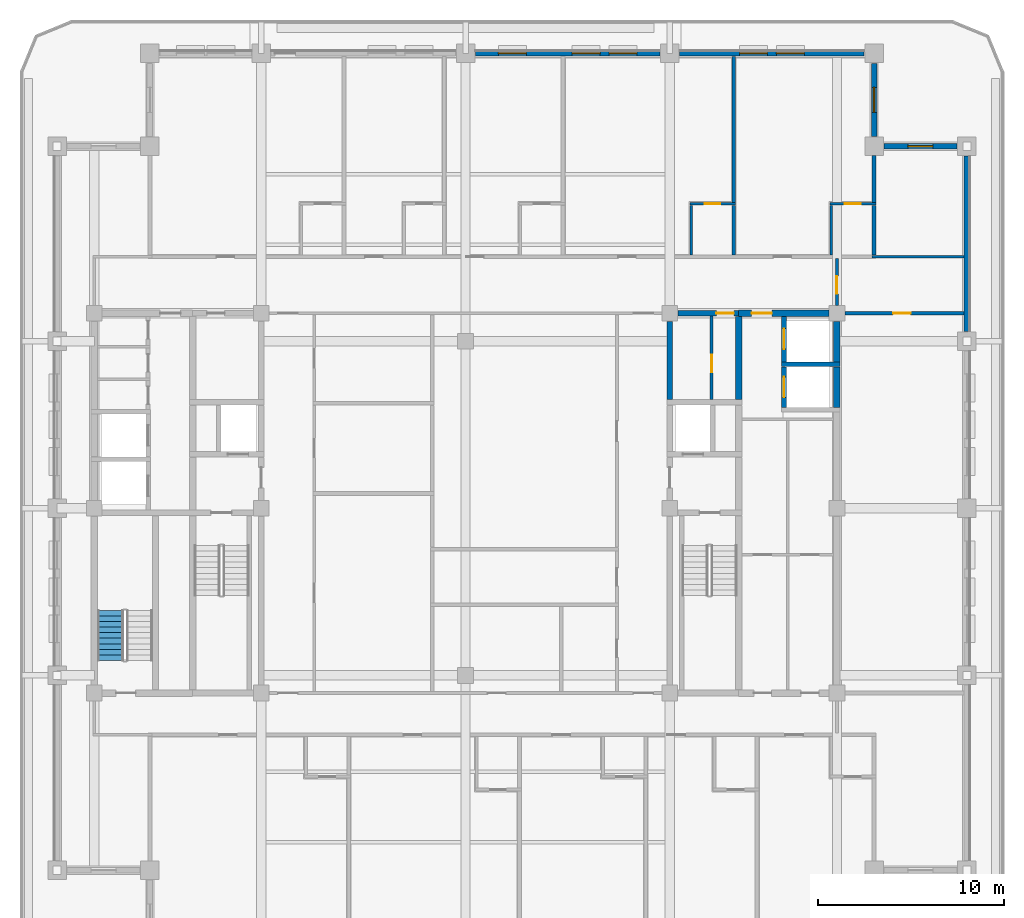
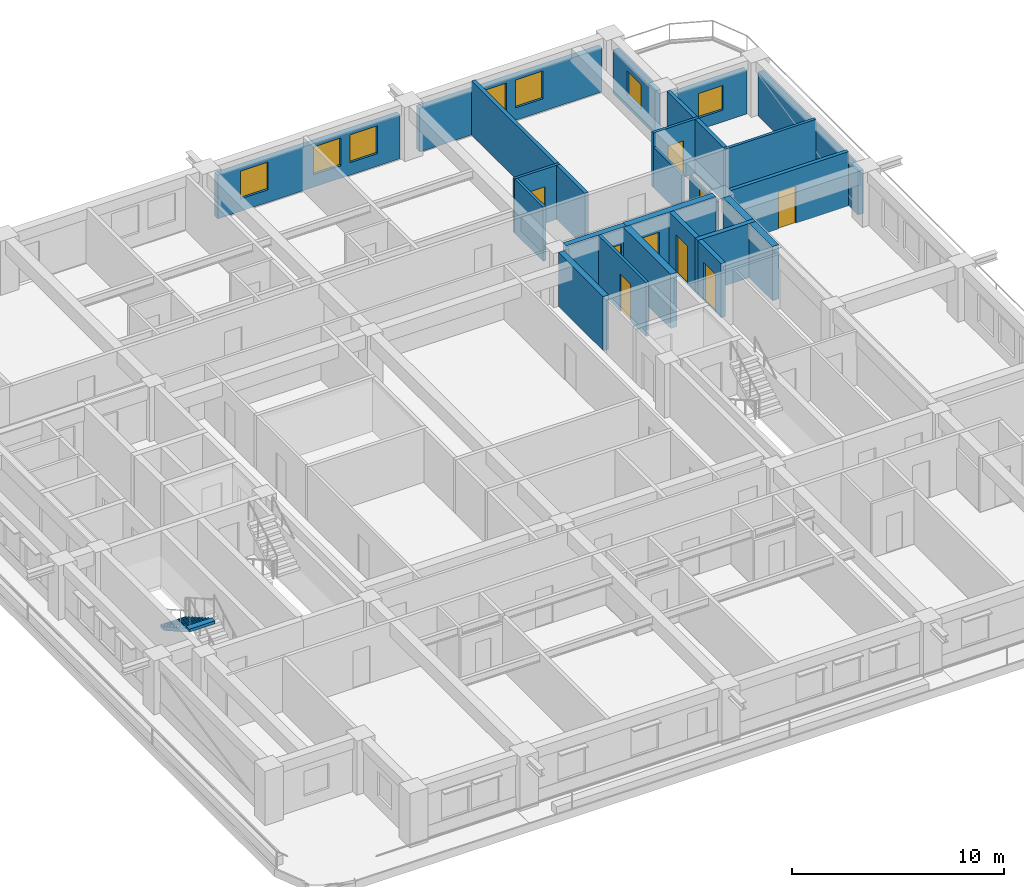
# One storey, part 7 of 15: 26 walls, 9 doors, 7 windows, 1 stair flight, 16 openings, 1 element without a shape of its own.
"""IFC4 building model written with IfcOpenShell, lengths in metres."""

import ifcopenshell
import ifcopenshell.guid

model = None  # the IFC model being written
_history = None  # IfcOwnerHistory: only IFC2X3 demands one
_inside = {}  # id of a spatial element -> (the spatial element, [elements in it])
_under = {}  # id of a project, library or spatial element -> (it, [spatial elements below it])
_declared = {}  # id of a project -> (the project, [libraries it declares])
_typed = {}  # id of a type object -> (the type object, [elements of that type])
_made_of = {}  # id of a material, layer set ... -> (it, [elements and type objects made of it])


def new_model(schema):
    """Start an empty IFC model of exactly this schema.

    Asked for "IFC4X3", IfcOpenShell would pick the latest addendum, in which some entities
    have other attributes; the version numbers below select the first issue.
    IFC2X3 requires an IfcOwnerHistory on every rooted entity: one is made here for all.
    """
    global model, _history
    if schema == "IFC4X3":
        model = ifcopenshell.file(schema_version=(4, 3, 0, 0))
    else:
        model = ifcopenshell.file(schema=schema)
    _inside.clear()
    _under.clear()
    _declared.clear()
    _typed.clear()
    _made_of.clear()
    _history = None
    if model.schema == "IFC2X3":
        org = make("IfcOrganization", Name="unknown")
        user = make(
            "IfcPersonAndOrganization",
            ThePerson=make("IfcPerson", FamilyName="unknown"),
            TheOrganization=org,
        )
        app = make(
            "IfcApplication",
            ApplicationDeveloper=org,
            Version="unknown",
            ApplicationFullName="unknown",
            ApplicationIdentifier="unknown",
        )
        _history = make(
            "IfcOwnerHistory",
            OwningUser=user,
            OwningApplication=app,
            ChangeAction="ADDED",
            CreationDate=0,
        )
    return model


def make(cls, **values):
    """One entity of the class cls with the attributes given. An attribute that is None is left unset."""
    return model.create_entity(
        cls, **{name: value for name, value in values.items() if value is not None}
    )


def rooted(cls, **values):
    """An entity with a GlobalId (a new one), such as an element, a storey or a relation."""
    return make(cls, GlobalId=ifcopenshell.guid.new(), OwnerHistory=_history, **values)


def si_unit(unit_type, name, prefix=None):
    """IfcSIUnit, for example si_unit("LENGTHUNIT", "METRE", prefix="MILLI")."""
    return make("IfcSIUnit", UnitType=unit_type, Prefix=prefix, Name=name)


def assignment(units):
    """IfcUnitAssignment: the units of a project."""
    return None if units is None else make("IfcUnitAssignment", Units=units)


def point(xyz):
    """IfcCartesianPoint."""
    return None if xyz is None else make("IfcCartesianPoint", Coordinates=xyz)


def direction(xyz):
    """IfcDirection."""
    return None if xyz is None else make("IfcDirection", DirectionRatios=xyz)


def frame(location, z_axis=None, x_axis=None):
    """IfcAxis2Placement3D, a coordinate frame: its origin and axes. An axis left out is left unset."""
    return make(
        "IfcAxis2Placement3D",
        Location=point(location),
        Axis=direction(z_axis),
        RefDirection=direction(x_axis),
    )


def frame_2d(location, x_axis=None):
    """IfcAxis2Placement2D, a coordinate frame in the plane: its origin and x axis."""
    return make(
        "IfcAxis2Placement2D", Location=point(location), RefDirection=direction(x_axis)
    )


def origin():
    """The frame at (0, 0, 0) with its axes left unset."""
    return frame((0.0, 0.0, 0.0))


def place(relative_to, where):
    """IfcLocalPlacement: puts the frame where relative to a parent placement (None: the world)."""
    return make(
        "IfcLocalPlacement", PlacementRelTo=relative_to, RelativePlacement=where
    )


def context(
    kind, dimensions, precision=None, world=None, true_north=None, identifier=None
):
    """IfcGeometricRepresentationContext, for example the 3D "Model" context."""
    return make(
        "IfcGeometricRepresentationContext",
        ContextIdentifier=identifier,
        ContextType=kind,
        CoordinateSpaceDimension=dimensions,
        Precision=precision,
        WorldCoordinateSystem=world,
        TrueNorth=true_north,
    )


def subcontext(parent, identifier, kind, view, scale=None):
    """IfcGeometricRepresentationSubContext, for example "Body" below "Model"."""
    return make(
        "IfcGeometricRepresentationSubContext",
        ContextIdentifier=identifier,
        ContextType=kind,
        ParentContext=parent,
        TargetScale=scale,
        TargetView=view,
    )


def project(units=None, contexts=None):
    """IfcProject with its units and contexts."""
    return rooted(
        "IfcProject",
        Name="project",
        RepresentationContexts=contexts,
        UnitsInContext=assignment(units),
    )


def spatial(cls, under=None, at=None, **own):
    """A site, building, storey or space (cls), placed at a placement, below another one or the project."""
    s = rooted(cls, ObjectPlacement=at, **own)
    if under is not None:
        _under.setdefault(under.id(), (under, []))[1].append(s)
    return s


def polyline(points):
    """IfcPolyline through the points."""
    return make("IfcPolyline", Points=[point(p) for p in points])


def profile(cls, at=None, kind="AREA", **sizes):
    """A parametric profile (cls). Its sizes go by their IFC names, for example OverallWidth=200.0."""
    return make(cls, ProfileType=kind, Position=at, **sizes)


def rectangle(**sizes):
    """IfcRectangleProfileDef."""
    return profile("IfcRectangleProfileDef", **sizes)


def outline(outer, holes=None, kind="AREA"):
    """IfcArbitraryClosedProfileDef: a profile drawn as a closed curve; with holes, ...WithVoids."""
    if holes is None:
        return make("IfcArbitraryClosedProfileDef", ProfileType=kind, OuterCurve=outer)
    return make(
        "IfcArbitraryProfileDefWithVoids",
        ProfileType=kind,
        OuterCurve=outer,
        InnerCurves=holes,
    )


def extrude(swept, where, along, depth):
    """IfcExtrudedAreaSolid: the profile swept, set in the frame where, extruded along a direction by depth."""
    return make(
        "IfcExtrudedAreaSolid",
        SweptArea=swept,
        Position=where,
        ExtrudedDirection=direction(along),
        Depth=depth,
    )


def shape(context_of_items, identifier, shape_type, items):
    """IfcShapeRepresentation: the items that make up one representation, for example the "Body"."""
    return make(
        "IfcShapeRepresentation",
        ContextOfItems=context_of_items,
        RepresentationIdentifier=identifier,
        RepresentationType=shape_type,
        Items=items,
    )


def material(Name=None, Category=None):
    """IfcMaterial."""
    return make("IfcMaterial", Name=Name, Category=Category)


def layer(
    of_material, thickness, ventilated=None, Name=None, Category=None, Priority=None
):
    """IfcMaterialLayer: one layer of a wall or slab, of a material (None: an air gap)."""
    return make(
        "IfcMaterialLayer",
        Material=of_material,
        LayerThickness=thickness,
        IsVentilated=ventilated,
        Name=Name,
        Category=Category,
        Priority=Priority,
    )


def layer_set(layers, Name=None):
    """IfcMaterialLayerSet."""
    return make("IfcMaterialLayerSet", MaterialLayers=layers, LayerSetName=Name)


def made_of(thing, what):
    """Note that an element or type object is made of a material, layer set ...; save() writes the relation."""
    if what is not None:
        _made_of.setdefault(what.id(), (what, []))[1].append(thing)
    return thing


def type_object(cls, material=None, **own):
    """A type object (cls), such as IfcWallType, which elements share."""
    return made_of(rooted(cls, **own), material)


def element(
    cls,
    number,
    at=None,
    inside=None,
    cuts=None,
    type_object=None,
    material=None,
    context=None,
    identifier="Body",
    shape_type=None,
    held_by="IfcProductDefinitionShape",
    body=None,
    shapes=None,
    **own,
):
    """One element of the class cls, such as IfcWall. Its Tag is "e" and its number.

    at: its placement. inside: the storey or other place that contains it. cuts: it is an
    opening in that element (IfcRelVoidsElement). A single representation is given by context,
    identifier, shape_type and body (its items); several are given by shapes. held_by: the class
    of the entity that holds the representations. save() writes the other relations.
    """
    e = rooted(cls, Tag="e%d" % number, ObjectPlacement=at, **own)
    if body is not None:
        shapes = [shape(context, identifier, shape_type, body)]
    if shapes is not None:
        e.Representation = make(held_by, Representations=shapes)
    if inside is not None:
        _inside.setdefault(inside.id(), (inside, []))[1].append(e)
    if cuts is not None:
        rooted(
            "IfcRelVoidsElement", RelatingBuildingElement=cuts, RelatedOpeningElement=e
        )
    if type_object is not None:
        _typed.setdefault(type_object.id(), (type_object, []))[1].append(e)
    return made_of(e, material)


def fill(opening, filler):
    """IfcRelFillsElement: the door or window that sits in an opening."""
    return rooted(
        "IfcRelFillsElement",
        RelatingOpeningElement=opening,
        RelatedBuildingElement=filler,
    )


def aggregate(whole, parts):
    """IfcRelAggregates: a whole, such as a stair, and the parts it consists of."""
    return rooted("IfcRelAggregates", RelatingObject=whole, RelatedObjects=parts)


def save(model, path):
    """Write the relations noted so far, then the file.

    IfcRelAggregates (storeys below a building ...), IfcRelContainedInSpatialStructure (elements
    in a storey), IfcRelDefinesByType, IfcRelAssociatesMaterial and IfcRelDeclares: one each for
    every whole, place, type object, material and project.
    """
    for whole, parts in _under.values():
        aggregate(whole, parts)
    for where, things in _inside.values():
        rooted(
            "IfcRelContainedInSpatialStructure",
            RelatedElements=things,
            RelatingStructure=where,
        )
    for kind, things in _typed.values():
        rooted("IfcRelDefinesByType", RelatedObjects=things, RelatingType=kind)
    for what, things in _made_of.values():
        rooted("IfcRelAssociatesMaterial", RelatedObjects=things, RelatingMaterial=what)
    for by, libraries in _declared.values():
        rooted("IfcRelDeclares", RelatingContext=by, RelatedDefinitions=libraries)
    model.write(path)


model = new_model("IFC4")

# Units and contexts
model_context = context("Model", 3, precision=1e-05, world=origin(), true_north=direction((0.0, 1.0)))
body_context = subcontext(model_context, "Body", "Model", "MODEL_VIEW")
ifc_project = project(units=[si_unit("LENGTHUNIT", "METRE"), si_unit("AREAUNIT", "SQUARE_METRE"), si_unit("VOLUMEUNIT", "CUBIC_METRE"), si_unit("PLANEANGLEUNIT", "RADIAN"), si_unit("MASSUNIT", "GRAM", prefix="KILO")], contexts=[model_context])

# Site, building, storey
site_placement = place(None, origin())
site = spatial("IfcSite", under=ifc_project, at=site_placement, CompositionType="ELEMENT")
building_placement = place(site_placement, origin())
building = spatial("IfcBuilding", under=site, at=building_placement, Name="Zulmaris Gate Convention Tower", CompositionType="ELEMENT")
storey_placement = place(building_placement, frame((0.0, 0.0, 172.85986328125)))
storey = spatial("IfcBuildingStorey", under=building, at=storey_placement, Name="L44", CompositionType="ELEMENT", Elevation=172.85986328125)

# Wall
ifc_material_1 = material(Name="Concrete C50/60", Category="concrete")
ifc_layer_1 = layer(ifc_material_1, 0.25, Name="Concrete C50/60")
ifc_layer_set_1 = layer_set([ifc_layer_1], Name="Concrete C50/60")
wall_type_1 = type_object("IfcWallType", Name="CORE-250", PredefinedType="SOLIDWALL", material=ifc_layer_set_1)
wall_1_placement = place(storey_placement, frame((17.02490234375, 7.75, 0.0), z_axis=(0.0, 0.0, 1.0), x_axis=(1.0, 0.0, 0.0)))
element("IfcWall", 1, at=wall_1_placement, inside=storey, type_object=wall_type_1, Name="WL-L44-014", PredefinedType="SOLIDWALL", context=body_context, shape_type="SweptSolid", body=[
    extrude(rectangle(XDim=3.150146484375, YDim=0.25, at=frame_2d((1.5751953125, 0.0))), origin(), (0.0, 0.0, 1.0), 3.125),
])

# Wall, opening, door
wall_2_placement = place(storey_placement, frame((17.14990234375, 5.427001953125, 0.0), z_axis=(0.0, 0.0, 1.0), x_axis=(0.0, 1.0, 0.0)))
wall_2 = element("IfcWall", 2, at=wall_2_placement, inside=storey, type_object=wall_type_1, Name="WL-L44-073", PredefinedType="SOLIDWALL", context=body_context, shape_type="SweptSolid", body=[
    extrude(rectangle(XDim=2.196044921875, YDim=0.25, at=frame_2d((1.09814453125, 0.0))), origin(), (0.0, 0.0, 1.0), 3.125),
])
opening_1_placement = place(wall_2_placement, frame((0.548095703125, 0.0, 0.0)))
opening_1 = element("IfcOpeningElement", 3, at=opening_1_placement, cuts=wall_2, Name="Opening D-06", PredefinedType="OPENING", context=body_context, shape_type="SweptSolid", body=[
    extrude(rectangle(XDim=1.10009765625, YDim=2.199951171875, at=frame_2d((0.550048828125, 1.10009765625))), frame((0.0, 0.135009765625, 0.0), z_axis=(0.0, -1.0, 0.0), x_axis=(1.0, 0.0, 0.0)), (0.0, 0.0, 1.0), 0.27001953125),
])
ifc_material_2 = material(Name="Brushed Stainless Steel", Category="steel")
door_type_1 = type_object("IfcDoorType", Name="LD-1100", OperationType="NOTDEFINED", PredefinedType="DOOR", material=ifc_material_2)
door_1_placement = place(opening_1_placement, origin())
door_1 = element("IfcDoor", 4, at=door_1_placement, inside=storey, type_object=door_type_1, Name="L44 Lift Landing Door HP-01 17", OperationType="SLIDING_TO_RIGHT", OverallHeight=2.199951171875, OverallWidth=1.10009765625, PredefinedType="DOOR", context=body_context, shape_type="SweptSolid", body=[
    extrude(rectangle(XDim=1.10009765625, YDim=2.199951171875, at=frame_2d((0.550048828125, 1.10009765625))), frame((0.0, 0.02490234375, 0.0), z_axis=(0.0, -1.0, 0.0), x_axis=(1.0, 0.0, 0.0)), (0.0, 0.0, 1.0), 0.050048828125),
])
fill(opening_1, door_1)

wall_3_placement = place(storey_placement, frame((17.14990234375, 7.876953125, 0.0), z_axis=(0.0, 0.0, 1.0), x_axis=(0.0, 1.0, 0.0)))
wall_3 = element("IfcWall", 5, at=wall_3_placement, inside=storey, type_object=wall_type_1, Name="WL-L44-074", PredefinedType="SOLIDWALL", context=body_context, shape_type="SweptSolid", body=[
    extrude(rectangle(XDim=2.446044921875, YDim=0.25, at=frame_2d((1.22314453125, 0.0))), origin(), (0.0, 0.0, 1.0), 3.125),
])
opening_2_placement = place(wall_3_placement, frame((0.697998046875, 0.0, 0.0)))
opening_2 = element("IfcOpeningElement", 6, at=opening_2_placement, cuts=wall_3, Name="Opening D-06", PredefinedType="OPENING", context=body_context, shape_type="SweptSolid", body=[
    extrude(rectangle(XDim=1.10009765625, YDim=2.199951171875, at=frame_2d((0.550048828125, 1.10009765625))), frame((0.0, 0.135009765625, 0.0), z_axis=(0.0, -1.0, 0.0), x_axis=(1.0, 0.0, 0.0)), (0.0, 0.0, 1.0), 0.27001953125),
])
door_2_placement = place(opening_2_placement, origin())
door_2 = element("IfcDoor", 7, at=door_2_placement, inside=storey, type_object=door_type_1, Name="L44 Lift Landing Door HP-02 18", OperationType="SLIDING_TO_RIGHT", OverallHeight=2.199951171875, OverallWidth=1.10009765625, PredefinedType="DOOR", context=body_context, shape_type="SweptSolid", body=[
    extrude(rectangle(XDim=1.10009765625, YDim=2.199951171875, at=frame_2d((0.550048828125, 1.10009765625))), frame((0.0, 0.02490234375, 0.0), z_axis=(0.0, -1.0, 0.0), x_axis=(1.0, 0.0, 0.0)), (0.0, 0.0, 1.0), 0.050048828125),
])
fill(opening_2, door_2)

ifc_layer_2 = layer(ifc_material_1, 0.300048828125, Name="Concrete C50/60")
ifc_layer_set_2 = layer_set([ifc_layer_2], Name="Concrete C50/60")
wall_type_2 = type_object("IfcWallType", Name="CORE-300", PredefinedType="SHEAR", material=ifc_layer_set_2)
wall_4_placement = place(storey_placement, frame((11.428955078125, 10.5, 0.0), z_axis=(0.0, 0.0, 1.0), x_axis=(1.0, 0.0, 0.0)))
wall_4 = element("IfcWall", 8, at=wall_4_placement, inside=storey, type_object=wall_type_2, Name="WL-L44-017", PredefinedType="SHEAR", context=body_context, shape_type="SweptSolid", body=[
    extrude(rectangle(XDim=3.27099609375, YDim=0.300048828125, at=frame_2d((1.635498046875, 0.0))), origin(), (0.0, 0.0, 1.0), 3.125),
])
opening_3_placement = place(wall_4_placement, frame((2.075927734375, 0.0, 0.0)))
opening_3 = element("IfcOpeningElement", 9, at=opening_3_placement, cuts=wall_4, Name="Opening D-11", PredefinedType="OPENING", context=body_context, shape_type="SweptSolid", body=[
    extrude(rectangle(XDim=0.949951171875, YDim=2.14990234375, at=frame_2d((0.47509765625, 1.074951171875))), frame((0.0, 0.16015625, 0.0), z_axis=(0.0, -1.0, 0.0), x_axis=(1.0, 0.0, 0.0)), (0.0, 0.0, 1.0), 0.320068359375),
])
ifc_material_3 = material(Name="Fire-Rated Timber", Category="wood")
door_type_2 = type_object("IfcDoorType", Name="DR-950-FD", OperationType="NOTDEFINED", PredefinedType="DOOR", material=ifc_material_3)
door_3_placement = place(opening_3_placement, origin())
door_3 = element("IfcDoor", 10, at=door_3_placement, inside=storey, type_object=door_type_2, Name="L44 Core Linen Closet Door 08", OperationType="SINGLE_SWING_LEFT", OverallHeight=2.14990234375, OverallWidth=0.949951171875, PredefinedType="DOOR", context=body_context, shape_type="SweptSolid", body=[
    extrude(rectangle(XDim=0.949951171875, YDim=2.14990234375, at=frame_2d((0.47509765625, 1.074951171875))), frame((0.0, 0.02490234375, 0.0), z_axis=(0.0, -1.0, 0.0), x_axis=(1.0, 0.0, 0.0)), (0.0, 0.0, 1.0), 0.050048828125),
])
fill(opening_3, door_3)

# Wall
wall_5_placement = place(storey_placement, frame((11.0, 5.85205078125, 0.0), z_axis=(0.0, 0.0, 1.0), x_axis=(0.0, 1.0, 0.0)))
element("IfcWall", 11, at=wall_5_placement, inside=storey, type_object=wall_type_2, Name="WL-L44-066", PredefinedType="SHEAR", context=body_context, shape_type="SweptSolid", body=[
    extrude(rectangle(XDim=4.218994140625, YDim=0.300048828125, at=frame_2d((2.109375, 0.0))), origin(), (0.0, 0.0, 1.0), 3.125),
])

# Wall, opening, door
ifc_material_4 = material(Name="Concrete C55/67", Category="concrete")
ifc_layer_3 = layer(ifc_material_4, 0.35009765625, Name="Concrete C55/67")
ifc_layer_set_3 = layer_set([ifc_layer_3], Name="Concrete C55/67")
wall_type_3 = type_object("IfcWallType", Name="CORE-350", PredefinedType="SHEAR", material=ifc_layer_set_3)
wall_6_placement = place(storey_placement, frame((14.699951171875, 10.5, 0.0), z_axis=(0.0, 0.0, 1.0), x_axis=(1.0, 0.0, 0.0)))
wall_6 = element("IfcWall", 12, at=wall_6_placement, inside=storey, type_object=wall_type_3, Name="WL-L44-018", PredefinedType="SHEAR", context=body_context, shape_type="SweptSolid", body=[
    extrude(rectangle(XDim=4.87109375, YDim=0.35009765625, at=frame_2d((2.435546875, 0.0))), origin(), (0.0, 0.0, 1.0), 3.125),
])
opening_4_placement = place(wall_6_placement, frame((0.699951171875, 0.0, 0.0)))
opening_4 = element("IfcOpeningElement", 13, at=opening_4_placement, cuts=wall_6, Name="Opening D-08", PredefinedType="OPENING", context=body_context, shape_type="SweptSolid", body=[
    extrude(rectangle(XDim=1.10009765625, YDim=2.14990234375, at=frame_2d((0.550048828125, 1.074951171875))), frame((0.0, 0.18505859375, 0.0), z_axis=(0.0, -1.0, 0.0), x_axis=(1.0, 0.0, 0.0)), (0.0, 0.0, 1.0), 0.3701171875),
])
ifc_material_5 = material(Name="Fire-Rated Steel", Category="steel")
door_type_3 = type_object("IfcDoorType", Name="DR-1100-FD", OperationType="NOTDEFINED", PredefinedType="DOOR", material=ifc_material_5)
door_4_placement = place(opening_4_placement, origin())
door_4 = element("IfcDoor", 14, at=door_4_placement, inside=storey, type_object=door_type_3, Name="L44 High-Rise East Lift Lobby Door 19", OperationType="SINGLE_SWING_RIGHT", OverallHeight=2.14990234375, OverallWidth=1.10009765625, PredefinedType="DOOR", context=body_context, shape_type="SweptSolid", body=[
    extrude(rectangle(XDim=1.10009765625, YDim=2.14990234375, at=frame_2d((0.550048828125, 1.074951171875))), frame((0.0, 0.02490234375, 0.0), z_axis=(0.0, -1.0, 0.0), x_axis=(1.0, 0.0, 0.0)), (0.0, 0.0, 1.0), 0.050048828125),
])
fill(opening_4, door_4)

# Walls
wall_7_placement = place(storey_placement, frame((14.699951171875, 5.85205078125, 0.0), z_axis=(0.0, 0.0, 1.0), x_axis=(0.0, 1.0, 0.0)))
element("IfcWall", 15, at=wall_7_placement, inside=storey, type_object=wall_type_3, Name="WL-L44-072", PredefinedType="SHEAR", context=body_context, shape_type="SweptSolid", body=[
    extrude(rectangle(XDim=4.470947265625, YDim=0.35009765625, at=frame_2d((2.2353515625, 0.0))), origin(), (0.0, 0.0, 1.0), 3.125),
])
wall_8_placement = place(storey_placement, frame((20.0, 5.427001953125, 0.0), z_axis=(0.0, 0.0, 1.0), x_axis=(0.0, 1.0, 0.0)))
element("IfcWall", 16, at=wall_8_placement, inside=storey, type_object=wall_type_3, Name="WL-L44-076", PredefinedType="SHEAR", context=body_context, shape_type="SweptSolid", body=[
    extrude(rectangle(XDim=2.196044921875, YDim=0.35009765625, at=frame_2d((1.09814453125, 0.0))), origin(), (0.0, 0.0, 1.0), 3.125),
])
wall_9_placement = place(storey_placement, frame((20.0, 7.876953125, 0.0), z_axis=(0.0, 0.0, 1.0), x_axis=(0.0, 1.0, 0.0)))
element("IfcWall", 17, at=wall_9_placement, inside=storey, type_object=wall_type_3, Name="WL-L44-077", PredefinedType="SHEAR", context=body_context, shape_type="SweptSolid", body=[
    extrude(rectangle(XDim=2.194091796875, YDim=0.35009765625, at=frame_2d((1.09716796875, 0.0))), origin(), (0.0, 0.0, 1.0), 3.125),
])
ifc_material_6 = material(Name="Gypsum Metal Stud Partition")
ifc_layer_4 = layer(ifc_material_6, 0.14990234375, Name="Gypsum Metal Stud Partition")
ifc_layer_set_4 = layer_set([ifc_layer_4], Name="Gypsum Metal Stud Partition")
wall_type_4 = type_object("IfcWallType", Name="PART-150", PredefinedType="PARTITIONING", material=ifc_layer_set_4)
wall_10_placement = place(storey_placement, frame((21.89990234375, 13.550048828125, 0.0), z_axis=(0.0, 0.0, 1.0), x_axis=(1.0, 0.0, 0.0)))
element("IfcWall", 18, at=wall_10_placement, inside=storey, type_object=wall_type_4, Name="WL-L44-040", PredefinedType="PARTITIONING", context=body_context, shape_type="SweptSolid", body=[
    extrude(rectangle(XDim=4.93505859375, YDim=0.14990234375, at=frame_2d((2.467529296875, 0.0))), origin(), (0.0, 0.0, 1.0), 3.125),
])

# Wall, opening, door
wall_11_placement = place(storey_placement, frame((12.074951171875, 16.39990234375, 0.0), z_axis=(0.0, 0.0, 1.0), x_axis=(1.0, 0.0, 0.0)))
wall_11 = element("IfcWall", 19, at=wall_11_placement, inside=storey, type_object=wall_type_4, Name="WL-L44-044", PredefinedType="PARTITIONING", context=body_context, shape_type="SweptSolid", body=[
    extrude(rectangle(XDim=2.47509765625, YDim=0.14990234375, at=frame_2d((1.237548828125, 0.0))), origin(), (0.0, 0.0, 1.0), 3.125),
])
opening_5_placement = place(wall_11_placement, frame((0.800048828125, 0.0, 0.0)))
opening_5 = element("IfcOpeningElement", 20, at=opening_5_placement, cuts=wall_11, Name="Opening D-17", PredefinedType="OPENING", context=body_context, shape_type="SweptSolid", body=[
    extrude(rectangle(XDim=0.85009765625, YDim=2.10009765625, at=frame_2d((0.425048828125, 1.050048828125))), frame((0.0, 0.0849609375, 0.0), z_axis=(0.0, -1.0, 0.0), x_axis=(1.0, 0.0, 0.0)), (0.0, 0.0, 1.0), 0.169921875),
])
ifc_material_7 = material(Name="Moisture-Resistant Hardwood Timber", Category="wood")
door_type_4 = type_object("IfcDoorType", Name="DR-850", OperationType="NOTDEFINED", PredefinedType="DOOR", material=ifc_material_7)
door_5_placement = place(opening_5_placement, origin())
door_5 = element("IfcDoor", 21, at=door_5_placement, inside=storey, type_object=door_type_4, Name="L44 En-Suite Door 35", OperationType="SINGLE_SWING_RIGHT", OverallHeight=2.10009765625, OverallWidth=0.85009765625, PredefinedType="DOOR", context=body_context, shape_type="SweptSolid", body=[
    extrude(rectangle(XDim=0.85009765625, YDim=2.10009765625, at=frame_2d((0.425048828125, 1.050048828125))), frame((0.0, 0.02490234375, 0.0), z_axis=(0.0, -1.0, 0.0), x_axis=(1.0, 0.0, 0.0)), (0.0, 0.0, 1.0), 0.050048828125),
])
fill(opening_5, door_5)

wall_12_placement = place(storey_placement, frame((19.625, 16.39990234375, 0.0), z_axis=(0.0, 0.0, 1.0), x_axis=(1.0, 0.0, 0.0)))
wall_12 = element("IfcWall", 22, at=wall_12_placement, inside=storey, type_object=wall_type_4, Name="WL-L44-045", PredefinedType="PARTITIONING", context=body_context, shape_type="SweptSolid", body=[
    extrude(rectangle(XDim=2.47509765625, YDim=0.14990234375, at=frame_2d((1.237548828125, 0.0))), origin(), (0.0, 0.0, 1.0), 3.125),
])
opening_6_placement = place(wall_12_placement, frame((0.800048828125, 0.0, 0.0)))
opening_6 = element("IfcOpeningElement", 23, at=opening_6_placement, cuts=wall_12, Name="Opening D-17", PredefinedType="OPENING", context=body_context, shape_type="SweptSolid", body=[
    extrude(rectangle(XDim=0.85009765625, YDim=2.10009765625, at=frame_2d((0.425048828125, 1.050048828125))), frame((0.0, 0.0849609375, 0.0), z_axis=(0.0, -1.0, 0.0), x_axis=(1.0, 0.0, 0.0)), (0.0, 0.0, 1.0), 0.169921875),
])
door_6_placement = place(opening_6_placement, origin())
door_6 = element("IfcDoor", 24, at=door_6_placement, inside=storey, type_object=door_type_4, Name="L44 En-Suite Door 37", OperationType="SINGLE_SWING_RIGHT", OverallHeight=2.10009765625, OverallWidth=0.85009765625, PredefinedType="DOOR", context=body_context, shape_type="SweptSolid", body=[
    extrude(rectangle(XDim=0.85009765625, YDim=2.10009765625, at=frame_2d((0.425048828125, 1.050048828125))), frame((0.0, 0.02490234375, 0.0), z_axis=(0.0, -1.0, 0.0), x_axis=(1.0, 0.0, 0.0)), (0.0, 0.0, 1.0), 0.050048828125),
])
fill(opening_6, door_6)

# Wall
wall_13_placement = place(storey_placement, frame((12.14990234375, 13.653076171875, 0.0), z_axis=(0.0, 0.0, 1.0), x_axis=(0.0, 1.0, 0.0)))
element("IfcWall", 25, at=wall_13_placement, inside=storey, type_object=wall_type_4, Name="WL-L44-115", PredefinedType="PARTITIONING", context=body_context, shape_type="SweptSolid", body=[
    extrude(rectangle(XDim=2.6689453125, YDim=0.14990234375, at=frame_2d((1.33447265625, 0.0))), origin(), (0.0, 0.0, 1.0), 3.125),
])

# Wall, opening, door
wall_14_placement = place(storey_placement, frame((13.25, 5.85302734375, 0.0), z_axis=(0.0, 0.0, 1.0), x_axis=(0.0, 1.0, 0.0)))
wall_14 = element("IfcWall", 26, at=wall_14_placement, inside=storey, type_object=wall_type_4, Name="WL-L44-116", PredefinedType="PARTITIONING", context=body_context, shape_type="SweptSolid", body=[
    extrude(rectangle(XDim=4.493896484375, YDim=0.14990234375, at=frame_2d((2.2470703125, 0.0))), origin(), (0.0, 0.0, 1.0), 3.125),
])
opening_7_placement = place(wall_14_placement, frame((1.471923828125, 0.0, 0.0)))
opening_7 = element("IfcOpeningElement", 27, at=opening_7_placement, cuts=wall_14, Name="Opening D-11", PredefinedType="OPENING", context=body_context, shape_type="SweptSolid", body=[
    extrude(rectangle(XDim=0.949951171875, YDim=2.14990234375, at=frame_2d((0.47509765625, 1.074951171875))), frame((0.0, 0.0849609375, 0.0), z_axis=(0.0, -1.0, 0.0), x_axis=(1.0, 0.0, 0.0)), (0.0, 0.0, 1.0), 0.169921875),
])
door_7_placement = place(opening_7_placement, origin())
door_7 = element("IfcDoor", 28, at=door_7_placement, inside=storey, type_object=door_type_2, Name="L44 Core Service Pantry Door 09", OperationType="SINGLE_SWING_RIGHT", OverallHeight=2.14990234375, OverallWidth=0.949951171875, PredefinedType="DOOR", context=body_context, shape_type="SweptSolid", body=[
    extrude(rectangle(XDim=0.949951171875, YDim=2.14990234375, at=frame_2d((0.47509765625, 1.074951171875))), frame((0.0, 0.02490234375, 0.0), z_axis=(0.0, -1.0, 0.0), x_axis=(1.0, 0.0, 0.0)), (0.0, 0.0, 1.0), 0.050048828125),
])
fill(opening_7, door_7)

# Wall
wall_15_placement = place(storey_placement, frame((19.699951171875, 13.653076171875, 0.0), z_axis=(0.0, 0.0, 1.0), x_axis=(0.0, 1.0, 0.0)))
element("IfcWall", 29, at=wall_15_placement, inside=storey, type_object=wall_type_4, Name="WL-L44-125", PredefinedType="PARTITIONING", context=body_context, shape_type="SweptSolid", body=[
    extrude(rectangle(XDim=2.6689453125, YDim=0.14990234375, at=frame_2d((1.33447265625, 0.0))), origin(), (0.0, 0.0, 1.0), 2.31689453125),
])

# Wall, opening, door
wall_16_placement = place(storey_placement, frame((20.0, 10.930908203125, 0.0), z_axis=(0.0, 0.0, 1.0), x_axis=(0.0, 1.0, 0.0)))
wall_16 = element("IfcWall", 30, at=wall_16_placement, inside=storey, type_object=wall_type_4, Name="WL-L44-127", PredefinedType="PARTITIONING", context=body_context, shape_type="SweptSolid", body=[
    extrude(rectangle(XDim=2.51611328125, YDim=0.14990234375, at=frame_2d((1.258056640625, 0.0))), origin(), (0.0, 0.0, 1.0), 2.31689453125),
])
opening_8_placement = place(wall_16_placement, frame((0.6240234375, 0.0, 0.0)))
opening_8 = element("IfcOpeningElement", 31, at=opening_8_placement, cuts=wall_16, Name="Opening D-11", PredefinedType="OPENING", context=body_context, shape_type="SweptSolid", body=[
    extrude(rectangle(XDim=0.949951171875, YDim=2.14990234375, at=frame_2d((0.47509765625, 1.074951171875))), frame((0.0, 0.0849609375, 0.0), z_axis=(0.0, -1.0, 0.0), x_axis=(1.0, 0.0, 0.0)), (0.0, 0.0, 1.0), 0.169921875),
])
door_8_placement = place(opening_8_placement, origin())
door_8 = element("IfcDoor", 32, at=door_8_placement, inside=storey, type_object=door_type_2, Name="L44 East Spur Door 55", OperationType="SINGLE_SWING_RIGHT", OverallHeight=2.14990234375, OverallWidth=0.949951171875, PredefinedType="DOOR", context=body_context, shape_type="SweptSolid", body=[
    extrude(rectangle(XDim=0.949951171875, YDim=2.14990234375, at=frame_2d((0.47509765625, 1.074951171875))), frame((0.0, 0.02490234375, 0.0), z_axis=(0.0, -1.0, 0.0), x_axis=(1.0, 0.0, 0.0)), (0.0, 0.0, 1.0), 0.050048828125),
])
fill(opening_8, door_8)

ifc_material_8 = material(Name="Autoclaved Aerated Concrete Block and Plasterboard", Category="concrete")
ifc_layer_5 = layer(ifc_material_8, 0.199951171875, Name="Autoclaved Aerated Concrete Block and Plasterboard")
ifc_layer_set_5 = layer_set([ifc_layer_5], Name="Autoclaved Aerated Concrete Block and Plasterboard")
wall_type_5 = type_object("IfcWallType", Name="PART-200", PredefinedType="PARTITIONING", material=ifc_layer_set_5)
wall_17_placement = place(storey_placement, frame((20.430908203125, 10.5, 0.0), z_axis=(0.0, 0.0, 1.0), x_axis=(1.0, 0.0, 0.0)))
wall_17 = element("IfcWall", 33, at=wall_17_placement, inside=storey, type_object=wall_type_5, Name="WL-L44-037", PredefinedType="PARTITIONING", context=body_context, shape_type="SweptSolid", body=[
    extrude(rectangle(XDim=6.404052734375, YDim=0.199951171875, at=frame_2d((3.2021484375, 0.0))), origin(), (0.0, 0.0, 1.0), 3.125),
])
opening_9_placement = place(wall_17_placement, frame((2.593994140625, 0.0, 0.0)))
opening_9 = element("IfcOpeningElement", 34, at=opening_9_placement, cuts=wall_17, Name="Opening D-11", PredefinedType="OPENING", context=body_context, shape_type="SweptSolid", body=[
    extrude(rectangle(XDim=0.949951171875, YDim=2.14990234375, at=frame_2d((0.47509765625, 1.074951171875))), frame((0.0, 0.10986328125, 0.0), z_axis=(0.0, -1.0, 0.0), x_axis=(1.0, 0.0, 0.0)), (0.0, 0.0, 1.0), 0.219970703125),
])
door_9_placement = place(opening_9_placement, origin())
door_9 = element("IfcDoor", 35, at=door_9_placement, inside=storey, type_object=door_type_2, Name="L44 East Lounge Door 56", OperationType="SINGLE_SWING_LEFT", OverallHeight=2.14990234375, OverallWidth=0.949951171875, PredefinedType="DOOR", context=body_context, shape_type="SweptSolid", body=[
    extrude(rectangle(XDim=0.949951171875, YDim=2.14990234375, at=frame_2d((0.47509765625, 1.074951171875))), frame((0.0, 0.02490234375, 0.0), z_axis=(0.0, -1.0, 0.0), x_axis=(1.0, 0.0, 0.0)), (0.0, 0.0, 1.0), 0.050048828125),
])
fill(opening_9, door_9)

# Walls
wall_18_placement = place(storey_placement, frame((14.449951171875, 13.653076171875, 0.0), z_axis=(0.0, 0.0, 1.0), x_axis=(0.0, 1.0, 0.0)))
element("IfcWall", 36, at=wall_18_placement, inside=storey, type_object=wall_type_5, Name="WL-L44-118", PredefinedType="PARTITIONING", context=body_context, shape_type="SweptSolid", body=[
    extrude(rectangle(XDim=2.6689453125, YDim=0.199951171875, at=frame_2d((1.33447265625, 0.0))), origin(), (0.0, 0.0, 1.0), 3.125),
])
wall_19_placement = place(storey_placement, frame((14.449951171875, 16.47802734375, 0.0), z_axis=(0.0, 0.0, 1.0), x_axis=(0.0, 1.0, 0.0)))
element("IfcWall", 37, at=wall_19_placement, inside=storey, type_object=wall_type_5, Name="WL-L44-119", PredefinedType="PARTITIONING", context=body_context, shape_type="SweptSolid", body=[
    extrude(rectangle(XDim=7.85693359375, YDim=0.199951171875, at=frame_2d((3.928466796875, 0.0))), origin(), (0.0, 0.0, 1.0), 3.125),
])
wall_20_placement = place(storey_placement, frame((22.0, 13.653076171875, 0.0), z_axis=(0.0, 0.0, 1.0), x_axis=(0.0, 1.0, 0.0)))
element("IfcWall", 38, at=wall_20_placement, inside=storey, type_object=wall_type_5, Name="WL-L44-130", PredefinedType="PARTITIONING", context=body_context, shape_type="SweptSolid", body=[
    extrude(rectangle(XDim=2.6689453125, YDim=0.199951171875, at=frame_2d((1.33447265625, 0.0))), origin(), (0.0, 0.0, 1.0), 3.125),
])
wall_21_placement = place(storey_placement, frame((22.0, 16.47802734375, 0.0), z_axis=(0.0, 0.0, 1.0), x_axis=(0.0, 1.0, 0.0)))
element("IfcWall", 39, at=wall_21_placement, inside=storey, type_object=wall_type_5, Name="WL-L44-131", PredefinedType="PARTITIONING", context=body_context, shape_type="SweptSolid", body=[
    extrude(rectangle(XDim=2.515869140625, YDim=0.199951171875, at=frame_2d((1.2578125, 0.0))), origin(), (0.0, 0.0, 1.0), 3.125),
])

# Wall, opening, window
ifc_material_9 = material(Name="Precast concrete C40/50", Category="concrete")
ifc_layer_6 = layer(ifc_material_9, 0.300048828125, Name="Precast concrete C40/50")
ifc_layer_set_6 = layer_set([ifc_layer_6], Name="Precast concrete C40/50")
wall_type_6 = type_object("IfcWallType", Name="PRECAST-PIER-300", PredefinedType="STANDARD", material=ifc_layer_set_6)
wall_22_placement = place(storey_placement, frame((26.469970703125, 19.5, 0.0), z_axis=(0.0, 0.0, 1.0), x_axis=(-1.0, 0.0, 0.0)))
wall_22 = element("IfcWall", 40, at=wall_22_placement, inside=storey, type_object=wall_type_6, Name="EW-L44-NOTCH-NE1_0", PredefinedType="STANDARD", context=body_context, shape_type="SweptSolid", body=[
    extrude(rectangle(XDim=3.93994140625, YDim=0.300048828125, at=frame_2d((1.969970703125, 0.0))), origin(), (0.0, 0.0, 1.0), 2.516845703125),
])
opening_10_placement = place(wall_22_placement, frame((1.294921875, 0.0, 0.679931640625)))
opening_10 = element("IfcOpeningElement", 41, at=opening_10_placement, cuts=wall_22, Name="Opening W-10", PredefinedType="OPENING", context=body_context, shape_type="SweptSolid", body=[
    extrude(rectangle(XDim=1.35009765625, YDim=1.419921875, at=frame_2d((0.675048828125, 0.7099609375))), frame((0.0, 0.16015625, 0.0), z_axis=(0.0, -1.0, 0.0), x_axis=(1.0, 0.0, 0.0)), (0.0, 0.0, 1.0), 0.320068359375),
])
ifc_material_10 = material(Name="Low-E Laminated Double Glazing in Aluminium Frame", Category="aluminium")
window_type_1 = type_object("IfcWindowType", Name="WIN-1350x2000", PartitioningType="SINGLE_PANEL", PredefinedType="WINDOW", material=ifc_material_10)
window_1_placement = place(opening_10_placement, origin())
window_1 = element("IfcWindow", 42, at=window_1_placement, inside=storey, type_object=window_type_1, Name="WN-EW-L44-NOTCH-NE1_0", OverallHeight=1.419921875, OverallWidth=1.35009765625, PartitioningType="SINGLE_PANEL", PredefinedType="WINDOW", context=body_context, shape_type="SweptSolid", body=[
    extrude(rectangle(XDim=1.35009765625, YDim=1.419921875, at=frame_2d((0.675048828125, 0.7099609375))), frame((0.0, 0.030029296875, 0.0), z_axis=(0.0, -1.0, 0.0), x_axis=(1.0, 0.0, 0.0)), (0.0, 0.0, 1.0), 0.06005859375),
])
fill(opening_10, window_1)

wall_23_placement = place(storey_placement, frame((22.0, 20.030029296875, 0.0), z_axis=(0.0, 0.0, 1.0), x_axis=(0.0, 1.0, 0.0)))
wall_23 = element("IfcWall", 43, at=wall_23_placement, inside=storey, type_object=wall_type_6, Name="EW-L44-NOTCH-NE2_0", PredefinedType="STANDARD", context=body_context, shape_type="SweptSolid", body=[
    extrude(rectangle(XDim=3.93994140625, YDim=0.300048828125, at=frame_2d((1.969970703125, 0.0))), origin(), (0.0, 0.0, 1.0), 2.516845703125),
])
opening_11_placement = place(wall_23_placement, frame((1.294921875, 0.0, 0.679931640625)))
opening_11 = element("IfcOpeningElement", 44, at=opening_11_placement, cuts=wall_23, Name="Opening W-10", PredefinedType="OPENING", context=body_context, shape_type="SweptSolid", body=[
    extrude(rectangle(XDim=1.35009765625, YDim=1.419921875, at=frame_2d((0.675048828125, 0.7099609375))), frame((0.0, 0.16015625, 0.0), z_axis=(0.0, -1.0, 0.0), x_axis=(1.0, 0.0, 0.0)), (0.0, 0.0, 1.0), 0.320068359375),
])
window_2_placement = place(opening_11_placement, origin())
window_2 = element("IfcWindow", 45, at=window_2_placement, inside=storey, type_object=window_type_1, Name="WN-EW-L44-NOTCH-NE2_0", OverallHeight=1.419921875, OverallWidth=1.35009765625, PartitioningType="SINGLE_PANEL", PredefinedType="WINDOW", context=body_context, shape_type="SweptSolid", body=[
    extrude(rectangle(XDim=1.35009765625, YDim=1.419921875, at=frame_2d((0.675048828125, 0.7099609375))), frame((0.0, 0.030029296875, 0.0), z_axis=(0.0, -1.0, 0.0), x_axis=(1.0, 0.0, 0.0)), (0.0, 0.0, 1.0), 0.06005859375),
])
fill(opening_11, window_2)

# Wall, openings, windows
wall_24_placement = place(storey_placement, frame((10.469970703125, 24.5, 0.0), z_axis=(0.0, 0.0, 1.0), x_axis=(-1.0, 0.0, 0.0)))
wall_24 = element("IfcWall", 46, at=wall_24_placement, inside=storey, type_object=wall_type_6, Name="EW-L44-N-2_0", PredefinedType="STANDARD", context=body_context, shape_type="SweptSolid", body=[
    extrude(rectangle(XDim=9.93994140625, YDim=0.300048828125, at=frame_2d((4.969970703125, 0.0))), origin(), (0.0, 0.0, 1.0), 2.516845703125),
])
opening_12_placement = place(wall_24_placement, frame((1.238037109375, 0.0, 0.719970703125)))
opening_12 = element("IfcOpeningElement", 47, at=opening_12_placement, cuts=wall_24, Name="Opening W-03", PredefinedType="OPENING", context=body_context, shape_type="SweptSolid", body=[
    extrude(rectangle(XDim=1.5, YDim=1.60009765625, at=frame_2d((0.75, 0.800048828125))), frame((0.0, 0.16015625, 0.0), z_axis=(0.0, -1.0, 0.0), x_axis=(1.0, 0.0, 0.0)), (0.0, 0.0, 1.0), 0.320068359375),
])
opening_13_placement = place(wall_24_placement, frame((3.22607421875, 0.0, 0.719970703125)))
opening_13 = element("IfcOpeningElement", 48, at=opening_13_placement, cuts=wall_24, Name="Opening W-03", PredefinedType="OPENING", context=body_context, shape_type="SweptSolid", body=[
    extrude(rectangle(XDim=1.5, YDim=1.60009765625, at=frame_2d((0.75, 0.800048828125))), frame((0.0, 0.16015625, 0.0), z_axis=(0.0, -1.0, 0.0), x_axis=(1.0, 0.0, 0.0)), (0.0, 0.0, 1.0), 0.320068359375),
])
opening_14_placement = place(wall_24_placement, frame((7.201904296875, 0.0, 0.719970703125)))
opening_14 = element("IfcOpeningElement", 49, at=opening_14_placement, cuts=wall_24, Name="Opening W-03", PredefinedType="OPENING", context=body_context, shape_type="SweptSolid", body=[
    extrude(rectangle(XDim=1.5, YDim=1.60009765625, at=frame_2d((0.75, 0.800048828125))), frame((0.0, 0.16015625, 0.0), z_axis=(0.0, -1.0, 0.0), x_axis=(1.0, 0.0, 0.0)), (0.0, 0.0, 1.0), 0.320068359375),
])
window_type_2 = type_object("IfcWindowType", Name="WIN-1500x2100", PartitioningType="SINGLE_PANEL", PredefinedType="WINDOW", material=ifc_material_10)
window_3_placement = place(opening_12_placement, origin())
window_3 = element("IfcWindow", 50, at=window_3_placement, inside=storey, type_object=window_type_2, Name="WN-EW-L44-N-2_0-1", OverallHeight=1.60009765625, OverallWidth=1.5, PartitioningType="SINGLE_PANEL", PredefinedType="WINDOW", context=body_context, shape_type="SweptSolid", body=[
    extrude(rectangle(XDim=1.5, YDim=1.60009765625, at=frame_2d((0.75, 0.800048828125))), frame((0.0, 0.030029296875, 0.0), z_axis=(0.0, -1.0, 0.0), x_axis=(1.0, 0.0, 0.0)), (0.0, 0.0, 1.0), 0.06005859375),
])
fill(opening_12, window_3)
window_4_placement = place(opening_13_placement, origin())
window_4 = element("IfcWindow", 51, at=window_4_placement, inside=storey, type_object=window_type_2, Name="WN-EW-L44-N-2_0-2", OverallHeight=1.60009765625, OverallWidth=1.5, PartitioningType="SINGLE_PANEL", PredefinedType="WINDOW", context=body_context, shape_type="SweptSolid", body=[
    extrude(rectangle(XDim=1.5, YDim=1.60009765625, at=frame_2d((0.75, 0.800048828125))), frame((0.0, 0.030029296875, 0.0), z_axis=(0.0, -1.0, 0.0), x_axis=(1.0, 0.0, 0.0)), (0.0, 0.0, 1.0), 0.06005859375),
])
fill(opening_13, window_4)
window_5_placement = place(opening_14_placement, origin())
window_5 = element("IfcWindow", 52, at=window_5_placement, inside=storey, type_object=window_type_2, Name="WN-EW-L44-N-2_0-4", OverallHeight=1.60009765625, OverallWidth=1.5, PartitioningType="SINGLE_PANEL", PredefinedType="WINDOW", context=body_context, shape_type="SweptSolid", body=[
    extrude(rectangle(XDim=1.5, YDim=1.60009765625, at=frame_2d((0.75, 0.800048828125))), frame((0.0, 0.030029296875, 0.0), z_axis=(0.0, -1.0, 0.0), x_axis=(1.0, 0.0, 0.0)), (0.0, 0.0, 1.0), 0.06005859375),
])
fill(opening_14, window_5)

wall_25_placement = place(storey_placement, frame((21.469970703125, 24.5, 0.0), z_axis=(0.0, 0.0, 1.0), x_axis=(-1.0, 0.0, 0.0)))
wall_25 = element("IfcWall", 53, at=wall_25_placement, inside=storey, type_object=wall_type_6, Name="EW-L44-N-3_0", PredefinedType="STANDARD", context=body_context, shape_type="SweptSolid", body=[
    extrude(rectangle(XDim=9.93994140625, YDim=0.300048828125, at=frame_2d((4.969970703125, 0.0))), origin(), (0.0, 0.0, 1.0), 2.516845703125),
])
opening_15_placement = place(wall_25_placement, frame((3.22607421875, 0.0, 0.719970703125)))
opening_15 = element("IfcOpeningElement", 54, at=opening_15_placement, cuts=wall_25, Name="Opening W-03", PredefinedType="OPENING", context=body_context, shape_type="SweptSolid", body=[
    extrude(rectangle(XDim=1.5, YDim=1.60009765625, at=frame_2d((0.75, 0.800048828125))), frame((0.0, 0.16015625, 0.0), z_axis=(0.0, -1.0, 0.0), x_axis=(1.0, 0.0, 0.0)), (0.0, 0.0, 1.0), 0.320068359375),
])
opening_16_placement = place(wall_25_placement, frame((5.214111328125, 0.0, 0.719970703125)))
opening_16 = element("IfcOpeningElement", 55, at=opening_16_placement, cuts=wall_25, Name="Opening W-03", PredefinedType="OPENING", context=body_context, shape_type="SweptSolid", body=[
    extrude(rectangle(XDim=1.5, YDim=1.60009765625, at=frame_2d((0.75, 0.800048828125))), frame((0.0, 0.16015625, 0.0), z_axis=(0.0, -1.0, 0.0), x_axis=(1.0, 0.0, 0.0)), (0.0, 0.0, 1.0), 0.320068359375),
])
window_6_placement = place(opening_15_placement, origin())
window_6 = element("IfcWindow", 56, at=window_6_placement, inside=storey, type_object=window_type_2, Name="WN-EW-L44-N-3_0-2", OverallHeight=1.60009765625, OverallWidth=1.5, PartitioningType="SINGLE_PANEL", PredefinedType="WINDOW", context=body_context, shape_type="SweptSolid", body=[
    extrude(rectangle(XDim=1.5, YDim=1.60009765625, at=frame_2d((0.75, 0.800048828125))), frame((0.0, 0.030029296875, 0.0), z_axis=(0.0, -1.0, 0.0), x_axis=(1.0, 0.0, 0.0)), (0.0, 0.0, 1.0), 0.06005859375),
])
fill(opening_15, window_6)
window_7_placement = place(opening_16_placement, origin())
window_7 = element("IfcWindow", 57, at=window_7_placement, inside=storey, type_object=window_type_2, Name="WN-EW-L44-N-3_0-3", OverallHeight=1.60009765625, OverallWidth=1.5, PartitioningType="SINGLE_PANEL", PredefinedType="WINDOW", context=body_context, shape_type="SweptSolid", body=[
    extrude(rectangle(XDim=1.5, YDim=1.60009765625, at=frame_2d((0.75, 0.800048828125))), frame((0.0, 0.030029296875, 0.0), z_axis=(0.0, -1.0, 0.0), x_axis=(1.0, 0.0, 0.0)), (0.0, 0.0, 1.0), 0.06005859375),
])
fill(opening_16, window_7)

# Wall
wall_26_placement = place(storey_placement, frame((27.0, 9.530029296875, 0.0), z_axis=(0.0, 0.0, 1.0), x_axis=(0.0, 1.0, 0.0)))
element("IfcWall", 58, at=wall_26_placement, inside=storey, type_object=wall_type_6, Name="EW-L44-E-3_0", PredefinedType="STANDARD", context=body_context, shape_type="SweptSolid", body=[
    extrude(rectangle(XDim=9.43994140625, YDim=0.300048828125, at=frame_2d((4.719970703125, 0.0))), origin(), (0.0, 0.0, 1.0), 2.516845703125),
])

# Stair, stair flight
ifc_material_11 = material(Name="Concrete C45/55", Category="concrete")
stair_type = type_object("IfcStairType", Name="ST-CORE-DOGLEG", PredefinedType="HALF_TURN_STAIR", material=ifc_material_11)
stair_placement = place(storey_placement, origin())
stair = element("IfcStair", 59, at=stair_placement, inside=storey, type_object=stair_type, Name="L44 Core Exit Stair ST-3", PredefinedType="HALF_TURN_STAIR")
ifc_layer_7 = layer(ifc_material_11, 0.14990234375, Name="Concrete C45/55")
ifc_layer_set_7 = layer_set([ifc_layer_7], Name="Concrete C45/55")
stair_flight_type = type_object("IfcStairFlightType", Name="STF-RC150", PredefinedType="STRAIGHT", material=ifc_layer_set_7)
stair_flight_placement = place(storey_placement, frame((-19.1201171875, -5.5, 1.699951171875), z_axis=(0.0, 0.0, 1.0), x_axis=(0.0, -1.0, 0.0)))
stair_flight = element("IfcStairFlight", 60, at=stair_flight_placement, type_object=stair_flight_type, Name="ST-3 flight 2", NumberOfRisers=10, NumberOfTreads=9, PredefinedType="STRAIGHT", RiserHeight=0.169995, TreadLength=0.3, context=body_context, shape_type="SweptSolid", body=[
    extrude(outline(polyline([(0.0, 0.0), (0.0, 0.169921875), (0.300048828125, 0.169921875), (0.300048828125, 0.340087890625), (0.60009765625, 0.340087890625), (0.60009765625, 0.510009765625), (0.89990234375, 0.510009765625), (0.89990234375, 0.679931640625), (1.199951171875, 0.679931640625), (1.199951171875, 0.849853515625), (1.5, 0.849853515625), (1.5, 1.02001953125), (1.800048828125, 1.02001953125), (1.800048828125, 1.18994140625), (2.10009765625, 1.18994140625), (2.10009765625, 1.35986328125), (2.39990234375, 1.35986328125), (2.39990234375, 1.530029296875), (2.699951171875, 1.530029296875), (2.699951171875, 1.699951171875), (2.699951171875, 1.357666015625), (0.303955078125, 0.0), (0.0, 0.0)])), frame((0.0, 0.699951171875, 0.0), z_axis=(0.0, -1.0, 0.0), x_axis=(1.0, 0.0, 0.0)), (0.0, 0.0, 1.0), 1.39990234375),
])
aggregate(stair, [stair_flight])

save(model, "model.ifc")
